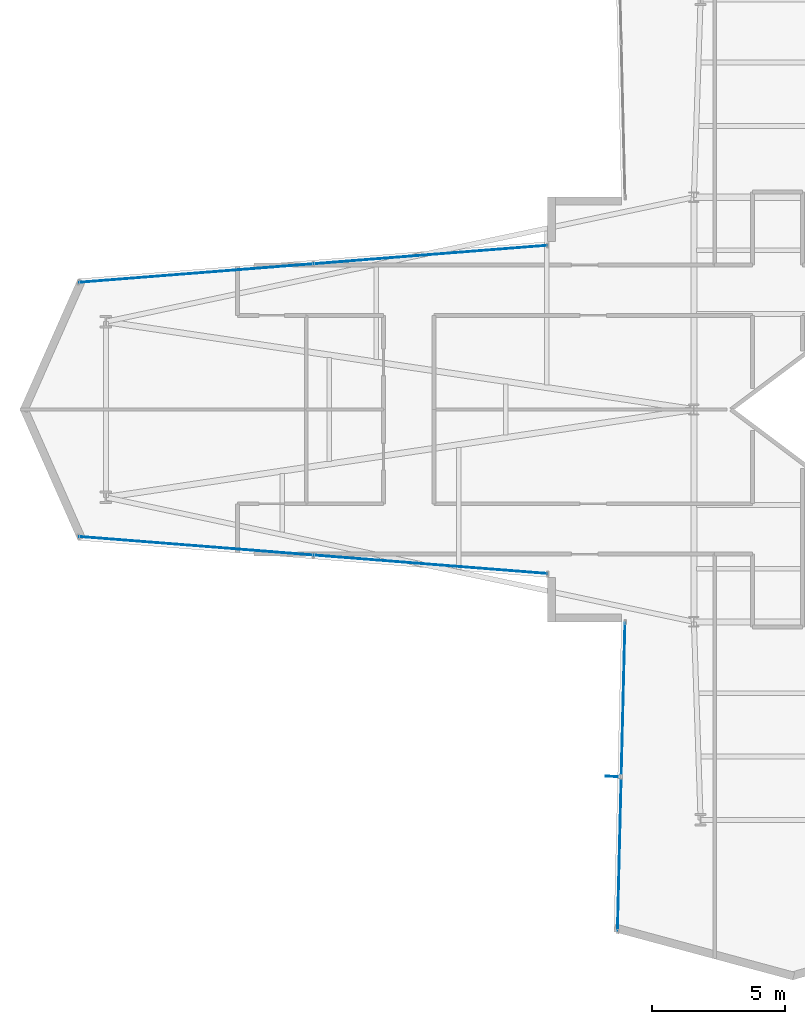
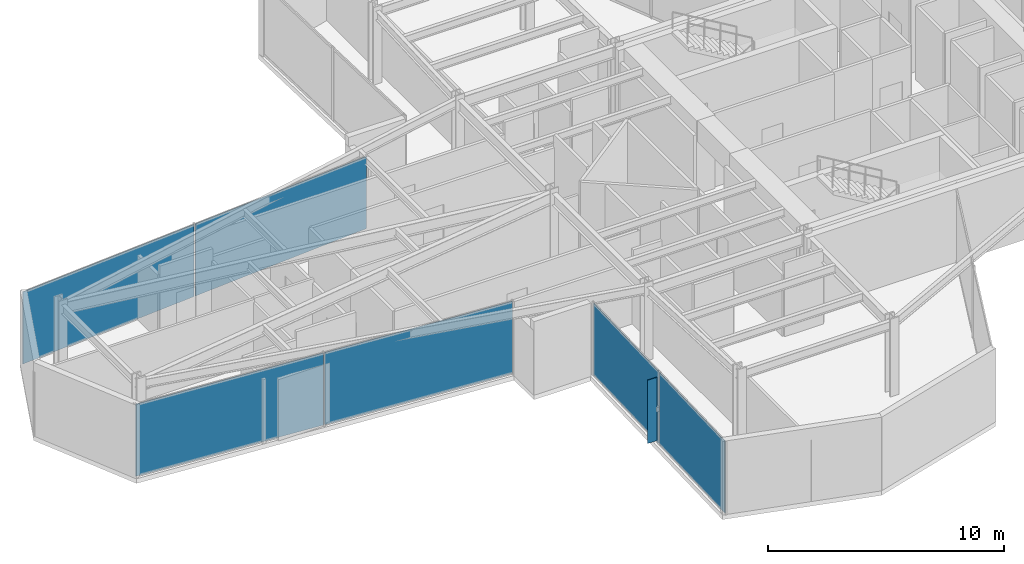
# One storey, part 19 of 25: 7 plates, 3 elements without a shape of their own.
"""IFC4 building model written with IfcOpenShell, lengths in metres."""

from ifc_helpers import new_model, si_unit, direction, frame, origin, origin_2d, place, context, subcontext, project, spatial, rectangle, extrude, material, layer, layer_set, type_object, element, aggregate, save


model = new_model("IFC4")

# Units and contexts
model_context = context("Model", 3, precision=1e-05, world=origin(), true_north=direction((0.0, 1.0)))
body_context = subcontext(model_context, "Body", "Model", "MODEL_VIEW")
ifc_project = project(units=[si_unit("LENGTHUNIT", "METRE"), si_unit("AREAUNIT", "SQUARE_METRE"), si_unit("VOLUMEUNIT", "CUBIC_METRE"), si_unit("PLANEANGLEUNIT", "RADIAN"), si_unit("MASSUNIT", "GRAM", prefix="KILO")], contexts=[model_context])

# Site, building, storey
site_placement = place(None, origin())
site = spatial("IfcSite", under=ifc_project, at=site_placement, CompositionType="ELEMENT")
building_placement = place(site_placement, origin())
building = spatial("IfcBuilding", under=site, at=building_placement, Name="Veymaron Broadcast Tower", CompositionType="ELEMENT")
storey_placement = place(building_placement, frame((0.0, 0.0, 74.25)))
storey = spatial("IfcBuildingStorey", under=building, at=storey_placement, Name="L16", CompositionType="ELEMENT", Elevation=74.25)

# Curtain wall, plates
ifc_material_1 = material(Name="Anodised aluminium AA 6063-T6 and laminated low-E dark glass", Category="aluminium")
ifc_layer_1 = layer(ifc_material_1, 0.179931640625)
ifc_layer_set_1 = layer_set([ifc_layer_1], Name="Anodised aluminium AA 6063-T6 and laminated low-E dark glass")
curtain_wall_type = type_object("IfcCurtainWallType", Name="CW-SYS-02", PredefinedType="NOTDEFINED", material=ifc_layer_set_1)
curtain_wall_1_placement = place(storey_placement, origin())
curtain_wall_1 = element("IfcCurtainWall", 1, at=curtain_wall_1_placement, inside=storey, type_object=curtain_wall_type, Name="L16 dark-glass curtain wall CW-L16-E11-1", PredefinedType="NOTDEFINED")
ifc_material_2 = material(Name="Double-silver solar-control dark glass IGU 32 mm", Category="glass")
ifc_layer_2 = layer(ifc_material_2, 0.031982421875)
ifc_layer_set_2 = layer_set([ifc_layer_2], Name="Double-silver solar-control dark glass IGU 32 mm")
plate_type_1 = type_object("IfcPlateType", Name="CW-PNL-02", PredefinedType="CURTAIN_PANEL", material=ifc_layer_set_2)
plate_1_placement = place(storey_placement, frame((21.277099609375, 29.835693359375, 0.0400390625), z_axis=(0.0, 0.0, 1.0), x_axis=(-0.996892635886, -0.078772282668, 0.0)))
plate_1 = element("IfcPlate", 2, at=plate_1_placement, type_object=plate_type_1, Name="CW-L16-E11-1 unitised curtain panel 0", PredefinedType="CURTAIN_PANEL", context=body_context, shape_type="SweptSolid", body=[
    extrude(rectangle(XDim=8.8115234375, YDim=0.031982421875, at=origin_2d()), origin(), (0.0, 0.0, 1.0), 3.72998046875),
])
plate_2_placement = place(storey_placement, frame((12.43310546875, 29.13671875, 0.0400390625), z_axis=(0.0, 0.0, 1.0), x_axis=(-0.996892635886, -0.078772282668, 0.0)))
plate_2 = element("IfcPlate", 3, at=plate_2_placement, type_object=plate_type_1, Name="CW-L16-E11-1 unitised curtain panel 1", PredefinedType="CURTAIN_PANEL", context=body_context, shape_type="SweptSolid", body=[
    extrude(rectangle(XDim=8.8115234375, YDim=0.031982421875, at=origin_2d()), origin(), (0.0, 0.0, 1.0), 3.72998046875),
])
aggregate(curtain_wall_1, [plate_1, plate_2])

curtain_wall_2_placement = place(storey_placement, origin())
curtain_wall_2 = element("IfcCurtainWall", 4, at=curtain_wall_2_placement, inside=storey, type_object=curtain_wall_type, Name="L16 dark-glass curtain wall CW-L16-E14-1", PredefinedType="NOTDEFINED")
plate_3_placement = place(storey_placement, frame((12.43310546875, 18.86328125, 0.0400390625), z_axis=(0.0, 0.0, 1.0), x_axis=(0.996892635886, -0.078772282668, 0.0)))
plate_3 = element("IfcPlate", 5, at=plate_3_placement, type_object=plate_type_1, Name="CW-L16-E14-1 unitised curtain panel 0", PredefinedType="CURTAIN_PANEL", context=body_context, shape_type="SweptSolid", body=[
    extrude(rectangle(XDim=8.8115234375, YDim=0.031982421875, at=origin_2d()), origin(), (0.0, 0.0, 1.0), 3.72998046875),
])
plate_4_placement = place(storey_placement, frame((21.277099609375, 18.164306640625, 0.0400390625), z_axis=(0.0, 0.0, 1.0), x_axis=(0.996892635886, -0.078772282668, 0.0)))
plate_4 = element("IfcPlate", 6, at=plate_4_placement, type_object=plate_type_1, Name="CW-L16-E14-1 unitised curtain panel 1", PredefinedType="CURTAIN_PANEL", context=body_context, shape_type="SweptSolid", body=[
    extrude(rectangle(XDim=8.8115234375, YDim=0.031982421875, at=origin_2d()), origin(), (0.0, 0.0, 1.0), 3.72998046875),
])
aggregate(curtain_wall_2, [plate_3, plate_4])

curtain_wall_3_placement = place(storey_placement, origin())
curtain_wall_3 = element("IfcCurtainWall", 7, at=curtain_wall_3_placement, inside=storey, type_object=curtain_wall_type, Name="L16 dark-glass curtain wall CW-L16-E17-1", PredefinedType="NOTDEFINED")
plate_5_placement = place(storey_placement, frame((28.537353515625, 13.080078125, 0.0400390625), z_axis=(0.0, 0.0, 1.0), x_axis=(-0.024379833872, -0.999702767677, 0.0)))
plate_5 = element("IfcPlate", 8, at=plate_5_placement, type_object=plate_type_1, Name="CW-L16-E17-1 unitised curtain panel 0", PredefinedType="CURTAIN_PANEL", context=body_context, shape_type="SweptSolid", body=[
    extrude(rectangle(XDim=5.774658203125, YDim=0.031982421875, at=origin_2d()), origin(), (0.0, 0.0, 1.0), 3.72998046875),
])
plate_6_placement = place(storey_placement, frame((28.39501953125, 7.2470703125, 0.0400390625), z_axis=(0.0, 0.0, 1.0), x_axis=(-0.024379833872, -0.999702767677, 0.0)))
plate_6 = element("IfcPlate", 9, at=plate_6_placement, type_object=plate_type_1, Name="CW-L16-E17-1 unitised curtain panel 1", PredefinedType="CURTAIN_PANEL", context=body_context, shape_type="SweptSolid", body=[
    extrude(rectangle(XDim=5.774658203125, YDim=0.031982421875, at=origin_2d()), origin(), (0.0, 0.0, 1.0), 3.72998046875),
])
aggregate(curtain_wall_3, [plate_5, plate_6])

# Plate
ifc_material_3 = material(Name="Dark-anodised aluminium AA 6061-T6", Category="aluminium")
ifc_layer_3 = layer(ifc_material_3, 0.034912109375)
ifc_layer_set_3 = layer_set([ifc_layer_3], Name="Dark-anodised aluminium AA 6061-T6")
plate_type_2 = type_object("IfcPlateType", Name="FIN-CHEV-01", PredefinedType="USERDEFINED", material=ifc_layer_set_3)
plate_7_placement = place(storey_placement, frame((28.111328125, 10.17236328125, 0.2666015625), z_axis=(0.0, 0.0, 1.0), x_axis=(-0.999702767677, 0.024379833872, 0.0)))
element("IfcPlate", 10, at=plate_7_placement, inside=storey, type_object=plate_type_2, Name="CW-L16-E17-1 chevron fin 1", ObjectType="FIN", PredefinedType="USERDEFINED", context=body_context, shape_type="SweptSolid", body=[
    extrude(rectangle(XDim=0.449951171875, YDim=0.034912109375, at=origin_2d()), origin(), (0.0, 0.0, 1.0), 3.276611328125),
])

save(model, "model.ifc")
